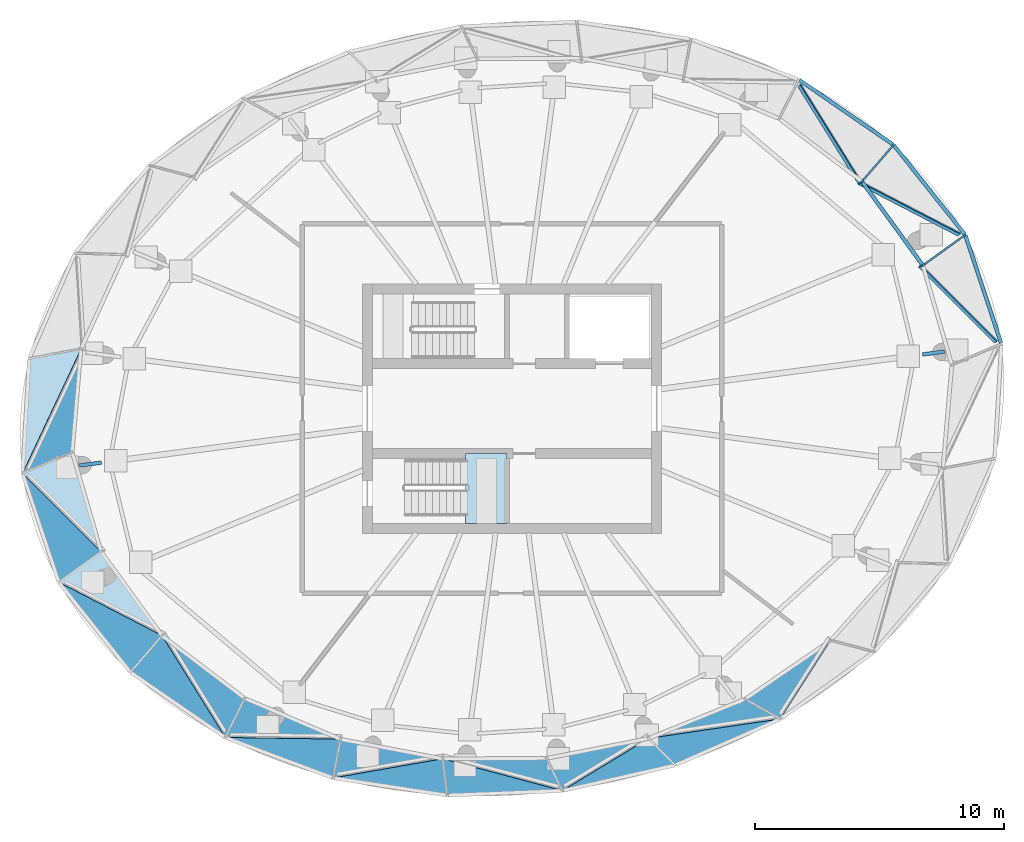
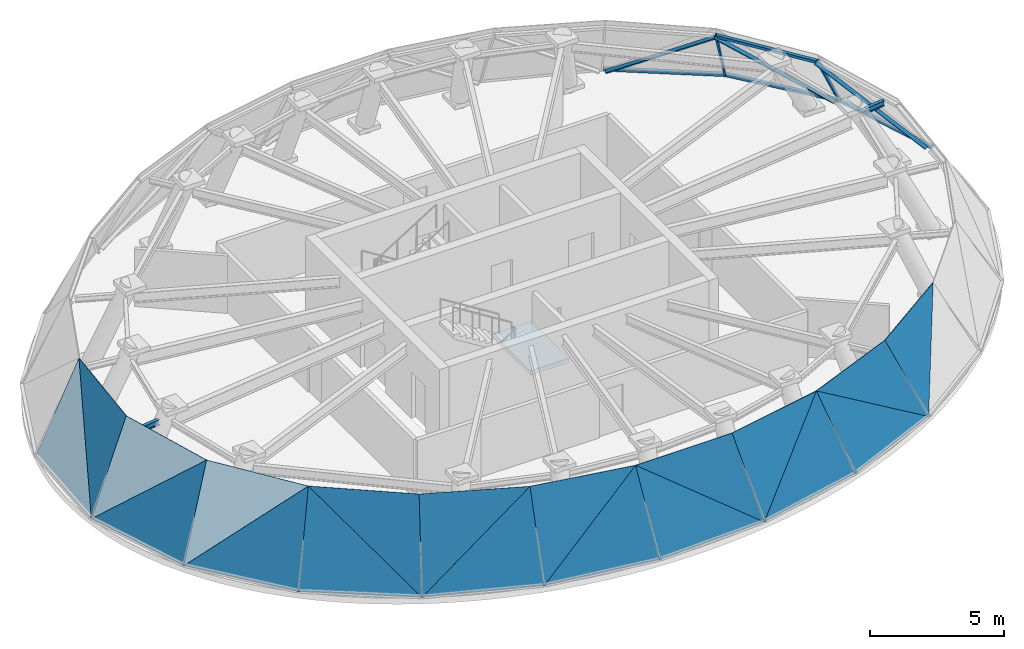
# One storey, part 5 of 9: 19 plates, 9 members, 2 beams, 1 slab, 25 elements without a shape of their own.
"""IFC4 building model written with IfcOpenShell, lengths in metres."""

import ifcopenshell
import ifcopenshell.guid

model = None  # the IFC model being written
_history = None  # IfcOwnerHistory: only IFC2X3 demands one
_inside = {}  # id of a spatial element -> (the spatial element, [elements in it])
_under = {}  # id of a project, library or spatial element -> (it, [spatial elements below it])
_declared = {}  # id of a project -> (the project, [libraries it declares])
_typed = {}  # id of a type object -> (the type object, [elements of that type])
_made_of = {}  # id of a material, layer set ... -> (it, [elements and type objects made of it])


def new_model(schema):
    """Start an empty IFC model of exactly this schema.

    Asked for "IFC4X3", IfcOpenShell would pick the latest addendum, in which some entities
    have other attributes; the version numbers below select the first issue.
    IFC2X3 requires an IfcOwnerHistory on every rooted entity: one is made here for all.
    """
    global model, _history
    if schema == "IFC4X3":
        model = ifcopenshell.file(schema_version=(4, 3, 0, 0))
    else:
        model = ifcopenshell.file(schema=schema)
    _inside.clear()
    _under.clear()
    _declared.clear()
    _typed.clear()
    _made_of.clear()
    _history = None
    if model.schema == "IFC2X3":
        org = make("IfcOrganization", Name="unknown")
        user = make(
            "IfcPersonAndOrganization",
            ThePerson=make("IfcPerson", FamilyName="unknown"),
            TheOrganization=org,
        )
        app = make(
            "IfcApplication",
            ApplicationDeveloper=org,
            Version="unknown",
            ApplicationFullName="unknown",
            ApplicationIdentifier="unknown",
        )
        _history = make(
            "IfcOwnerHistory",
            OwningUser=user,
            OwningApplication=app,
            ChangeAction="ADDED",
            CreationDate=0,
        )
    return model


def make(cls, **values):
    """One entity of the class cls with the attributes given. An attribute that is None is left unset."""
    return model.create_entity(
        cls, **{name: value for name, value in values.items() if value is not None}
    )


def rooted(cls, **values):
    """An entity with a GlobalId (a new one), such as an element, a storey or a relation."""
    return make(cls, GlobalId=ifcopenshell.guid.new(), OwnerHistory=_history, **values)


def si_unit(unit_type, name, prefix=None):
    """IfcSIUnit, for example si_unit("LENGTHUNIT", "METRE", prefix="MILLI")."""
    return make("IfcSIUnit", UnitType=unit_type, Prefix=prefix, Name=name)


def assignment(units):
    """IfcUnitAssignment: the units of a project."""
    return None if units is None else make("IfcUnitAssignment", Units=units)


def point(xyz):
    """IfcCartesianPoint."""
    return None if xyz is None else make("IfcCartesianPoint", Coordinates=xyz)


def direction(xyz):
    """IfcDirection."""
    return None if xyz is None else make("IfcDirection", DirectionRatios=xyz)


def frame(location, z_axis=None, x_axis=None):
    """IfcAxis2Placement3D, a coordinate frame: its origin and axes. An axis left out is left unset."""
    return make(
        "IfcAxis2Placement3D",
        Location=point(location),
        Axis=direction(z_axis),
        RefDirection=direction(x_axis),
    )


def frame_2d(location, x_axis=None):
    """IfcAxis2Placement2D, a coordinate frame in the plane: its origin and x axis."""
    return make(
        "IfcAxis2Placement2D", Location=point(location), RefDirection=direction(x_axis)
    )


def origin():
    """The frame at (0, 0, 0) with its axes left unset."""
    return frame((0.0, 0.0, 0.0))


def origin_2d():
    """The frame at (0, 0) in the plane with its x axis left unset."""
    return frame_2d((0.0, 0.0))


def place(relative_to, where):
    """IfcLocalPlacement: puts the frame where relative to a parent placement (None: the world)."""
    return make(
        "IfcLocalPlacement", PlacementRelTo=relative_to, RelativePlacement=where
    )


def context(
    kind, dimensions, precision=None, world=None, true_north=None, identifier=None
):
    """IfcGeometricRepresentationContext, for example the 3D "Model" context."""
    return make(
        "IfcGeometricRepresentationContext",
        ContextIdentifier=identifier,
        ContextType=kind,
        CoordinateSpaceDimension=dimensions,
        Precision=precision,
        WorldCoordinateSystem=world,
        TrueNorth=true_north,
    )


def subcontext(parent, identifier, kind, view, scale=None):
    """IfcGeometricRepresentationSubContext, for example "Body" below "Model"."""
    return make(
        "IfcGeometricRepresentationSubContext",
        ContextIdentifier=identifier,
        ContextType=kind,
        ParentContext=parent,
        TargetScale=scale,
        TargetView=view,
    )


def project(units=None, contexts=None):
    """IfcProject with its units and contexts."""
    return rooted(
        "IfcProject",
        Name="project",
        RepresentationContexts=contexts,
        UnitsInContext=assignment(units),
    )


def spatial(cls, under=None, at=None, **own):
    """A site, building, storey or space (cls), placed at a placement, below another one or the project."""
    s = rooted(cls, ObjectPlacement=at, **own)
    if under is not None:
        _under.setdefault(under.id(), (under, []))[1].append(s)
    return s


def point_list(points):
    """IfcCartesianPointList2D or 3D."""
    cls = (
        "IfcCartesianPointList2D" if len(points[0]) == 2 else "IfcCartesianPointList3D"
    )
    return make(cls, CoordList=points)


def line(*indices):
    """IfcLineIndex: a straight run through numbered points of an indexed curve."""
    return model.create_entity("IfcLineIndex", indices)


def indexed_curve(points, segments=None, self_intersect=None):
    """IfcIndexedPolyCurve: lines and arcs through numbered points (the first is 1)."""
    return make(
        "IfcIndexedPolyCurve",
        Points=point_list(points),
        Segments=segments,
        SelfIntersect=self_intersect,
    )


def profile(cls, at=None, kind="AREA", **sizes):
    """A parametric profile (cls). Its sizes go by their IFC names, for example OverallWidth=200.0."""
    return make(cls, ProfileType=kind, Position=at, **sizes)


def rectangle(**sizes):
    """IfcRectangleProfileDef."""
    return profile("IfcRectangleProfileDef", **sizes)


def i_section(**sizes):
    """IfcIShapeProfileDef."""
    return profile("IfcIShapeProfileDef", **sizes)


def outline(outer, holes=None, kind="AREA"):
    """IfcArbitraryClosedProfileDef: a profile drawn as a closed curve; with holes, ...WithVoids."""
    if holes is None:
        return make("IfcArbitraryClosedProfileDef", ProfileType=kind, OuterCurve=outer)
    return make(
        "IfcArbitraryProfileDefWithVoids",
        ProfileType=kind,
        OuterCurve=outer,
        InnerCurves=holes,
    )


def extrude(swept, where, along, depth):
    """IfcExtrudedAreaSolid: the profile swept, set in the frame where, extruded along a direction by depth."""
    return make(
        "IfcExtrudedAreaSolid",
        SweptArea=swept,
        Position=where,
        ExtrudedDirection=direction(along),
        Depth=depth,
    )


def shape(context_of_items, identifier, shape_type, items):
    """IfcShapeRepresentation: the items that make up one representation, for example the "Body"."""
    return make(
        "IfcShapeRepresentation",
        ContextOfItems=context_of_items,
        RepresentationIdentifier=identifier,
        RepresentationType=shape_type,
        Items=items,
    )


def source(mapping_origin, context_of_items, identifier, shape_type, items):
    """IfcRepresentationMap: a shape defined once, which mapped items show again and again."""
    return make(
        "IfcRepresentationMap",
        MappingOrigin=mapping_origin,
        MappedRepresentation=shape(context_of_items, identifier, shape_type, items),
    )


def transform(
    local_origin,
    x_axis=None,
    y_axis=None,
    z_axis=None,
    scale=None,
    scale2=None,
    scale3=None,
    uniform=True,
):
    """IfcCartesianTransformationOperator3D, or its non-uniform kind. x_axis, y_axis, z_axis: its Axis1, 2, 3."""
    if uniform:
        return make(
            "IfcCartesianTransformationOperator3D",
            Axis1=direction(x_axis),
            Axis2=direction(y_axis),
            LocalOrigin=point(local_origin),
            Scale=scale,
            Axis3=direction(z_axis),
        )
    return make(
        "IfcCartesianTransformationOperator3DnonUniform",
        Axis1=direction(x_axis),
        Axis2=direction(y_axis),
        LocalOrigin=point(local_origin),
        Scale=scale,
        Axis3=direction(z_axis),
        Scale2=scale2,
        Scale3=scale3,
    )


def mapped(mapping_source, mapping_target):
    """IfcMappedItem: shows the shape of a source again, moved by a transform."""
    return make(
        "IfcMappedItem", MappingSource=mapping_source, MappingTarget=mapping_target
    )


def material(Name=None, Category=None):
    """IfcMaterial."""
    return make("IfcMaterial", Name=Name, Category=Category)


def layer(
    of_material, thickness, ventilated=None, Name=None, Category=None, Priority=None
):
    """IfcMaterialLayer: one layer of a wall or slab, of a material (None: an air gap)."""
    return make(
        "IfcMaterialLayer",
        Material=of_material,
        LayerThickness=thickness,
        IsVentilated=ventilated,
        Name=Name,
        Category=Category,
        Priority=Priority,
    )


def layer_set(layers, Name=None):
    """IfcMaterialLayerSet."""
    return make("IfcMaterialLayerSet", MaterialLayers=layers, LayerSetName=Name)


def material_profile(
    of_material, cross_section, Name=None, Category=None, Priority=None
):
    """IfcMaterialProfile: a cross section and its material."""
    return make(
        "IfcMaterialProfile",
        Name=Name,
        Material=of_material,
        Profile=cross_section,
        Priority=Priority,
        Category=Category,
    )


def profile_set(profiles, Name=None, composite=None):
    """IfcMaterialProfileSet."""
    return make(
        "IfcMaterialProfileSet",
        Name=Name,
        MaterialProfiles=profiles,
        CompositeProfile=composite,
    )


def made_of(thing, what):
    """Note that an element or type object is made of a material, layer set ...; save() writes the relation."""
    if what is not None:
        _made_of.setdefault(what.id(), (what, []))[1].append(thing)
    return thing


def type_object(cls, material=None, **own):
    """A type object (cls), such as IfcWallType, which elements share."""
    return made_of(rooted(cls, **own), material)


def element(
    cls,
    number,
    at=None,
    inside=None,
    cuts=None,
    type_object=None,
    material=None,
    context=None,
    identifier="Body",
    shape_type=None,
    held_by="IfcProductDefinitionShape",
    body=None,
    shapes=None,
    **own,
):
    """One element of the class cls, such as IfcWall. Its Tag is "e" and its number.

    at: its placement. inside: the storey or other place that contains it. cuts: it is an
    opening in that element (IfcRelVoidsElement). A single representation is given by context,
    identifier, shape_type and body (its items); several are given by shapes. held_by: the class
    of the entity that holds the representations. save() writes the other relations.
    """
    e = rooted(cls, Tag="e%d" % number, ObjectPlacement=at, **own)
    if body is not None:
        shapes = [shape(context, identifier, shape_type, body)]
    if shapes is not None:
        e.Representation = make(held_by, Representations=shapes)
    if inside is not None:
        _inside.setdefault(inside.id(), (inside, []))[1].append(e)
    if cuts is not None:
        rooted(
            "IfcRelVoidsElement", RelatingBuildingElement=cuts, RelatedOpeningElement=e
        )
    if type_object is not None:
        _typed.setdefault(type_object.id(), (type_object, []))[1].append(e)
    return made_of(e, material)


def aggregate(whole, parts):
    """IfcRelAggregates: a whole, such as a stair, and the parts it consists of."""
    return rooted("IfcRelAggregates", RelatingObject=whole, RelatedObjects=parts)


def save(model, path):
    """Write the relations noted so far, then the file.

    IfcRelAggregates (storeys below a building ...), IfcRelContainedInSpatialStructure (elements
    in a storey), IfcRelDefinesByType, IfcRelAssociatesMaterial and IfcRelDeclares: one each for
    every whole, place, type object, material and project.
    """
    for whole, parts in _under.values():
        aggregate(whole, parts)
    for where, things in _inside.values():
        rooted(
            "IfcRelContainedInSpatialStructure",
            RelatedElements=things,
            RelatingStructure=where,
        )
    for kind, things in _typed.values():
        rooted("IfcRelDefinesByType", RelatedObjects=things, RelatingType=kind)
    for what, things in _made_of.values():
        rooted("IfcRelAssociatesMaterial", RelatedObjects=things, RelatingMaterial=what)
    for by, libraries in _declared.values():
        rooted("IfcRelDeclares", RelatingContext=by, RelatedDefinitions=libraries)
    model.write(path)


model = new_model("IFC4")

# Units and contexts
model_context = context("Model", 3, precision=1e-05, world=origin(), true_north=direction((0.0, 1.0)))
body_context = subcontext(model_context, "Body", "Model", "MODEL_VIEW")
ifc_project = project(units=[si_unit("LENGTHUNIT", "METRE"), si_unit("AREAUNIT", "SQUARE_METRE"), si_unit("VOLUMEUNIT", "CUBIC_METRE"), si_unit("PLANEANGLEUNIT", "RADIAN"), si_unit("MASSUNIT", "GRAM", prefix="KILO")], contexts=[model_context])

# Site, building, storey
site_placement = place(None, origin())
site = spatial("IfcSite", under=ifc_project, at=site_placement, CompositionType="ELEMENT")
building_placement = place(site_placement, origin())
building = spatial("IfcBuilding", under=site, at=building_placement, Name="Spindrift Exchange Tower", CompositionType="ELEMENT")
storey_placement = place(building_placement, frame((0.0, 0.0, 273.10009765625)))
storey = spatial("IfcBuildingStorey", under=building, at=storey_placement, Name="L67", CompositionType="ELEMENT", Elevation=273.10009765625)

# Beams
ifc_material_1 = material(Name="Steel Grade 300", Category="steel")
ifc_material_profile_1 = material_profile(ifc_material_1, i_section(OverallWidth=0.14599609375, OverallDepth=0.251953125, WebThickness=0.006103515625, FlangeThickness=0.008544921875, FilletRadius=0.011962890625, at=origin_2d()), Name="250UB31.4")
ifc_profile_set_1 = profile_set([ifc_material_profile_1], Name="Steel Grade 300")
beam_type = type_object("IfcBeamType", Name="Cantilever Beam 250UB31.4 Steel Grade 300", PredefinedType="BEAM", material=ifc_profile_set_1)
shared_shape_1 = source(origin(), body_context, "Body", "SweptSolid", [
    extrude(i_section(OverallWidth=0.14599609375, OverallDepth=0.251953125, WebThickness=0.006103515625, FlangeThickness=0.008544921875, FilletRadius=0.011962890625, at=origin_2d()), origin(), (0.0, 0.0, 1.0), 0.87939453125),
])
for number, where, z_axis, x_axis, name in (
    (1, (68.458984375, 50.1669921875, 3.093994140625), (0.991485453139, 0.130217495806, 0.0), (-0.130217495806, 0.991485453139, 0.0), "L67 cantilever beam R01T"),
    (2, (35.541015625, 45.8330078125, 3.093994140625), (-0.991485453139, -0.130217495806, 0.0), (0.130217495806, -0.991485453139, 0.0), "L67 cantilever beam R13T"),
):
    element("IfcBeam", number, at=place(storey_placement, frame(where, z_axis=z_axis, x_axis=x_axis)), inside=storey, type_object=beam_type, Name=name, PredefinedType="BEAM", context=body_context, shape_type="MappedRepresentation", body=[
        mapped(shared_shape_1, transform((0.0, 0.0, 0.0), scale=1.0)),
    ])

# Curtain wall, member
ifc_material_2 = material(Name="Fritted laminated glass with bronze frame", Category="glass")
ifc_layer_1 = layer(ifc_material_2, 0.14990234375)
ifc_layer_set_1 = layer_set([ifc_layer_1], Name="CROWN BRONZE RAKED GLAZED WALL")
curtain_wall_type = type_object("IfcCurtainWallType", Name="CROWN BRONZE RAKED GLAZED WALL", PredefinedType="NOTDEFINED", material=ifc_layer_set_1)
curtain_wall_1_placement = place(storey_placement, origin())
curtain_wall_1 = element("IfcCurtainWall", 3, at=curtain_wall_1_placement, inside=storey, type_object=curtain_wall_type, Name="L67 Crown Bronze Raked Glazed Wall facet 1", PredefinedType="NOTDEFINED")
ifc_material_3 = material(Name="Bronze anodised aluminium", Category="aluminium")
ifc_material_profile_2 = material_profile(ifc_material_3, rectangle(XDim=0.14990234375, YDim=0.1201171875, at=origin_2d()), Name="CROWN BRONZE RAKED GLAZED WALL TRANSOM 150X120")
ifc_profile_set_2 = profile_set([ifc_material_profile_2], Name="Bronze anodised aluminium")
member_type_1 = type_object("IfcMemberType", Name="CROWN BRONZE RAKED GLAZED WALL TRANSOM 150X120", PredefinedType="USERDEFINED", material=ifc_profile_set_2)
shared_shape_2 = source(origin(), body_context, "Body", "SweptSolid", [
    extrude(rectangle(XDim=0.14990234375, YDim=0.1201171875, at=origin_2d()), origin(), (0.0, 0.0, 1.0), 4.533203125),
])
member_1_placement = place(storey_placement, frame((71.606201171875, 50.624267578125, 0.059814453125), z_axis=(-0.315112723988, 0.949054250916, 0.0), x_axis=(-0.949054250916, -0.315112723988, 0.0)))
member_1 = element("IfcMember", 4, at=member_1_placement, type_object=member_type_1, Name="L67 transom CW-R.1a", ObjectType="TRANSOM", PredefinedType="USERDEFINED", context=body_context, shape_type="MappedRepresentation", body=[
    mapped(shared_shape_2, transform((0.0, 0.0, 0.0), scale=1.0)),
])

curtain_wall_2_placement = place(storey_placement, origin())
curtain_wall_2 = element("IfcCurtainWall", 5, at=curtain_wall_2_placement, inside=storey, type_object=curtain_wall_type, Name="L67 Crown Bronze Raked Glazed Wall facet 3", PredefinedType="NOTDEFINED")
shared_shape_3 = source(origin(), body_context, "Body", "SweptSolid", [
    extrude(rectangle(XDim=0.14990234375, YDim=0.1201171875, at=origin_2d()), origin(), (0.0, 0.0, 1.0), 4.5400390625),
])
member_2_placement = place(storey_placement, frame((70.14501953125, 54.9873046875, 0.059814453125), z_axis=(-0.62281769166, 0.78236700017, 0.0), x_axis=(-0.78236700017, -0.62281769166, 0.0)))
member_2 = element("IfcMember", 6, at=member_2_placement, type_object=member_type_1, Name="L67 transom CW-R.2a", ObjectType="TRANSOM", PredefinedType="USERDEFINED", context=body_context, shape_type="MappedRepresentation", body=[
    mapped(shared_shape_3, transform((0.0, 0.0, 0.0), scale=1.0)),
])

curtain_wall_3_placement = place(storey_placement, origin())
curtain_wall_3 = element("IfcCurtainWall", 7, at=curtain_wall_3_placement, inside=storey, type_object=curtain_wall_type, Name="L67 Crown Bronze Raked Glazed Wall facet 5", PredefinedType="NOTDEFINED")
shared_shape_4 = source(origin(), body_context, "Body", "SweptSolid", [
    extrude(rectangle(XDim=0.14990234375, YDim=0.1201171875, at=origin_2d()), origin(), (0.0, 0.0, 1.0), 4.546630859375),
])
member_3_placement = place(storey_placement, frame((63.522216796875, 61.1650390625, 0.059814453125), z_axis=(0.82361239241, -0.567153089623, 0.0), x_axis=(0.567153089623, 0.82361239241, 0.0)))
member_3 = element("IfcMember", 8, at=member_3_placement, type_object=member_type_1, Name="L67 transom CW-R.3a", ObjectType="TRANSOM", PredefinedType="USERDEFINED", context=body_context, shape_type="MappedRepresentation", body=[
    mapped(shared_shape_4, transform((0.0, 0.0, 0.0), scale=1.0)),
])

# Member
ifc_material_profile_3 = material_profile(ifc_material_3, rectangle(XDim=0.070068359375, YDim=0.14990234375, at=origin_2d()), Name="CROWN BRONZE RAKED GLAZED WALL MULLION 70X150")
ifc_profile_set_3 = profile_set([ifc_material_profile_3], Name="Bronze anodised aluminium")
member_type_2 = type_object("IfcMemberType", Name="CROWN BRONZE RAKED GLAZED WALL MULLION 70X150", PredefinedType="MULLION", material=ifc_profile_set_3)
shared_shape_5 = source(origin(), body_context, "Body", "SweptSolid", [
    extrude(rectangle(XDim=0.070068359375, YDim=0.14990234375, at=origin_2d()), origin(), (0.0, 0.0, 1.0), 5.285400390625),
])
member_4_placement = place(storey_placement, frame((71.390380859375, 50.680908203125, 0.060791015625), z_axis=(-0.57305094382, 0.572681412339, 0.586215502822), x_axis=(-0.141510487084, -0.773718484908, 0.617522864481)))
member_4 = element("IfcMember", 9, at=member_4_placement, type_object=member_type_2, Name="L67 glazing bar CW-R.1", PredefinedType="MULLION", context=body_context, shape_type="MappedRepresentation", body=[
    mapped(shared_shape_5, transform((0.0, 0.0, 0.0), scale=1.0)),
])

aggregate(curtain_wall_1, [member_1, member_4])

# Curtain wall, members
curtain_wall_4_placement = place(storey_placement, origin())
curtain_wall_4 = element("IfcCurtainWall", 10, at=curtain_wall_4_placement, inside=storey, type_object=curtain_wall_type, Name="L67 Crown Bronze Raked Glazed Wall facet 4", PredefinedType="NOTDEFINED")
shared_shape_6 = source(origin(), body_context, "Body", "SweptSolid", [
    extrude(rectangle(XDim=0.14990234375, YDim=0.1201171875, at=origin_2d()), origin(), (0.0, 0.0, 1.0), 4.0888671875),
])
member_5_placement = place(storey_placement, frame((68.44921875, 53.764892578125, 3.159912109375), z_axis=(-0.587305084769, 0.809365638883, 0.0), x_axis=(-0.809365638883, -0.587305084769, 0.0)))
member_5 = element("IfcMember", 11, at=member_5_placement, type_object=member_type_1, Name="L67 transom CW-R.2b", ObjectType="TRANSOM", PredefinedType="USERDEFINED", context=body_context, shape_type="MappedRepresentation", body=[
    mapped(shared_shape_6, transform((0.0, 0.0, 0.0), scale=1.0)),
])
shared_shape_7 = source(origin(), body_context, "Body", "SweptSolid", [
    extrude(rectangle(XDim=0.070068359375, YDim=0.14990234375, at=origin_2d()), origin(), (0.0, 0.0, 1.0), 3.742431640625),
])
member_6_placement = place(storey_placement, frame((70.145263671875, 54.9443359375, 0.040771484375), z_axis=(-0.441971644263, -0.318610997871, 0.838539264259), x_axis=(0.58477775628, -0.811193550122, 0.0)))
member_6 = element("IfcMember", 12, at=member_6_placement, type_object=member_type_2, Name="L67 mullion CW-R.2", PredefinedType="MULLION", context=body_context, shape_type="MappedRepresentation", body=[
    mapped(shared_shape_7, transform((0.0, 0.0, 0.0), scale=1.0)),
])
aggregate(curtain_wall_4, [member_5, member_6])

# Member
shared_shape_8 = source(origin(), body_context, "Body", "SweptSolid", [
    extrude(rectangle(XDim=0.070068359375, YDim=0.14990234375, at=origin_2d()), origin(), (0.0, 0.0, 1.0), 5.447998046875),
])
member_7_placement = place(storey_placement, frame((69.918701171875, 54.97607421875, 0.0615234375), z_axis=(-0.730666176199, 0.378216652997, 0.568400477088), x_axis=(0.111432011429, -0.755306854642, 0.64582850832)))
member_7 = element("IfcMember", 13, at=member_7_placement, type_object=member_type_2, Name="L67 glazing bar CW-R.2", PredefinedType="MULLION", context=body_context, shape_type="MappedRepresentation", body=[
    mapped(shared_shape_8, transform((0.0, 0.0, 0.0), scale=1.0)),
])

aggregate(curtain_wall_2, [member_2, member_7])

shared_shape_9 = source(origin(), body_context, "Body", "SweptSolid", [
    extrude(rectangle(XDim=0.070068359375, YDim=0.14990234375, at=origin_2d()), origin(), (0.0, 0.0, 1.0), 3.66748046875),
])
member_8_placement = place(storey_placement, frame((67.280517578125, 58.549072265625, 0.03857421875), z_axis=(-0.33757115033, -0.389628069983, 0.856875536788), x_axis=(0.75579132792, -0.654812544658, 0.0)))
member_8 = element("IfcMember", 14, at=member_8_placement, type_object=member_type_2, Name="L67 mullion CW-R.3", PredefinedType="MULLION", context=body_context, shape_type="MappedRepresentation", body=[
    mapped(shared_shape_9, transform((0.0, 0.0, 0.0), scale=1.0)),
])

aggregate(curtain_wall_3, [member_3, member_8])

# Curtain wall, member
curtain_wall_5_placement = place(storey_placement, origin())
curtain_wall_5 = element("IfcCurtainWall", 15, at=curtain_wall_5_placement, inside=storey, type_object=curtain_wall_type, Name="L67 Crown Bronze Raked Glazed Wall facet 6", PredefinedType="NOTDEFINED")
shared_shape_10 = source(origin(), body_context, "Body", "SweptSolid", [
    extrude(rectangle(XDim=0.070068359375, YDim=0.14990234375, at=origin_2d()), origin(), (0.0, 0.0, 1.0), 5.56005859375),
])
member_9_placement = place(storey_placement, frame((63.522705078125, 60.9404296875, 0.062255859375), z_axis=(0.438080548071, -0.705793999167, 0.556722789314), x_axis=(0.72620021576, -0.087157406589, -0.681936091659)))
member_9 = element("IfcMember", 16, at=member_9_placement, type_object=member_type_2, Name="L67 glazing bar CW-R.3", PredefinedType="MULLION", context=body_context, shape_type="MappedRepresentation", body=[
    mapped(shared_shape_10, transform((0.0, 0.0, 0.0), scale=1.0)),
])
aggregate(curtain_wall_5, [member_9])

# Curtain wall, plate
curtain_wall_6_placement = place(storey_placement, origin())
curtain_wall_6 = element("IfcCurtainWall", 17, at=curtain_wall_6_placement, inside=storey, type_object=curtain_wall_type, Name="L67 Crown Bronze Raked Glazed Wall facet 27", PredefinedType="NOTDEFINED")
ifc_material_4 = material(Name="Bronze fritted laminated glass, close frit", Category="glass")
ifc_layer_2 = layer(ifc_material_4, 0.030029296875)
ifc_layer_set_2 = layer_set([ifc_layer_2], Name="CROWN BRONZE RAKED GLAZED WALL PANEL CLOSE FRIT 300")
plate_type_1 = type_object("IfcPlateType", Name="CROWN BRONZE RAKED GLAZED WALL PANEL CLOSE FRIT 300", PredefinedType="CURTAIN_PANEL", material=ifc_layer_set_2)
plate_1_placement = place(storey_placement, frame((33.833251953125, 41.040283203125, 0.01416015625), z_axis=(-0.686631866828, -0.546554132524, 0.479390508539), x_axis=(0.622781534918, -0.782395782047, 0.0)))
plate_1 = element("IfcPlate", 18, at=plate_1_placement, type_object=plate_type_1, Name="L67 panel CW-R.14a", PredefinedType="CURTAIN_PANEL", context=body_context, shape_type="SweptSolid", body=[
    extrude(outline(indexed_curve([(0.0, 0.0), (4.6103515625, 0.0), (4.2548828125, 3.9716796875)], segments=[line(1, 2, 3, 1)], self_intersect=False)), origin(), (0.0, 0.0, -1.0), 0.030029296875),
])
aggregate(curtain_wall_6, [plate_1])

curtain_wall_7_placement = place(storey_placement, origin())
curtain_wall_7 = element("IfcCurtainWall", 19, at=curtain_wall_7_placement, inside=storey, type_object=curtain_wall_type, Name="L67 Crown Bronze Raked Glazed Wall facet 28", PredefinedType="NOTDEFINED")
plate_2_placement = place(storey_placement, frame((33.833251953125, 41.040283203125, 0.015380859375), z_axis=(-0.693937097386, -0.503528448702, 0.514694478521), x_axis=(0.711274329892, -0.36820140333, 0.598762519053)))
plate_2 = element("IfcPlate", 20, at=plate_2_placement, type_object=plate_type_1, Name="L67 panel CW-R.14b", PredefinedType="CURTAIN_PANEL", context=body_context, shape_type="SweptSolid", body=[
    extrude(outline(indexed_curve([(0.0, 0.0), (5.8193359375, 0.0), (2.8427734375, 2.904296875)], segments=[line(1, 2, 3, 1)], self_intersect=False)), origin(), (0.0, 0.0, -1.0), 0.030029296875),
])
aggregate(curtain_wall_7, [plate_2])

curtain_wall_8_placement = place(storey_placement, origin())
curtain_wall_8 = element("IfcCurtainWall", 21, at=curtain_wall_8_placement, inside=storey, type_object=curtain_wall_type, Name="L67 Crown Bronze Raked Glazed Wall facet 33", PredefinedType="NOTDEFINED")
plate_3_placement = place(storey_placement, frame((44.83251953125, 33.19091796875, 0.01123046875), z_axis=(-0.138753199477, -0.915937463825, 0.376571523082), x_axis=(0.988719533614, -0.149778783042, 0.0)))
plate_3 = element("IfcPlate", 22, at=plate_3_placement, type_object=plate_type_1, Name="L67 panel CW-R.17a", PredefinedType="CURTAIN_PANEL", context=body_context, shape_type="SweptSolid", body=[
    extrude(outline(indexed_curve([(0.0, 0.0), (4.623046875, 0.0), (4.22265625, 3.765625)], segments=[line(1, 2, 3, 1)], self_intersect=False)), origin(), (0.0, 0.0, -1.0), 0.030029296875),
])
aggregate(curtain_wall_8, [plate_3])

curtain_wall_9_placement = place(storey_placement, origin())
curtain_wall_9 = element("IfcCurtainWall", 23, at=curtain_wall_9_placement, inside=storey, type_object=curtain_wall_type, Name="L67 Crown Bronze Raked Glazed Wall facet 34", PredefinedType="NOTDEFINED")
plate_4_placement = place(storey_placement, frame((44.83251953125, 33.19091796875, 0.01220703125), z_axis=(-0.171732375832, -0.894223970024, 0.413366039396), x_axis=(0.775480119442, 0.13607261487, 0.616534530933)))
plate_4 = element("IfcPlate", 24, at=plate_4_placement, type_object=plate_type_1, Name="L67 panel CW-R.17b", PredefinedType="CURTAIN_PANEL", context=body_context, shape_type="SweptSolid", body=[
    extrude(outline(indexed_curve([(0.0, 0.0), (5.6572265625, 0.0), (2.5888671875, 2.8232421875)], segments=[line(1, 2, 3, 1)], self_intersect=False)), origin(), (0.0, 0.0, -1.0), 0.030029296875),
])
aggregate(curtain_wall_9, [plate_4])

curtain_wall_10_placement = place(storey_placement, origin())
curtain_wall_10 = element("IfcCurtainWall", 25, at=curtain_wall_10_placement, inside=storey, type_object=curtain_wall_type, Name="L67 Crown Bronze Raked Glazed Wall facet 23", PredefinedType="NOTDEFINED")
ifc_layer_3 = layer(ifc_material_4, 0.030029296875)
ifc_layer_set_3 = layer_set([ifc_layer_3], Name="CROWN BRONZE RAKED GLAZED WALL PANEL CLOSE FRIT 420")
plate_type_2 = type_object("IfcPlateType", Name="CROWN BRONZE RAKED GLAZED WALL PANEL CLOSE FRIT 420", PredefinedType="CURTAIN_PANEL", material=ifc_layer_set_3)
plate_5_placement = place(storey_placement, frame((32.3828125, 45.408935546875, 0.01513671875), z_axis=(-0.860548093675, 0.049921298252, 0.506916997597), x_axis=(0.057913683636, 0.998321594101, 0.0)))
plate_5 = element("IfcPlate", 26, at=plate_5_placement, type_object=plate_type_2, Name="L67 panel CW-R.12a", PredefinedType="CURTAIN_PANEL", context=body_context, shape_type="SweptSolid", body=[
    extrude(outline(indexed_curve([(0.0, 0.0), (4.603515625, 0.0), (5.109375, -4.04296875)], segments=[line(1, 2, 3, 1)], self_intersect=False)), origin(), (0.0, 0.0, -1.0), 0.030029296875),
])
aggregate(curtain_wall_10, [plate_5])

curtain_wall_11_placement = place(storey_placement, origin())
curtain_wall_11 = element("IfcCurtainWall", 27, at=curtain_wall_11_placement, inside=storey, type_object=curtain_wall_type, Name="L67 Crown Bronze Raked Glazed Wall facet 24", PredefinedType="NOTDEFINED")
plate_6_placement = place(storey_placement, frame((32.3828125, 45.408935546875, 0.014404296875), z_axis=(-0.87391189005, 0.074750604092, 0.480302358538), x_axis=(0.35942410855, 0.76460059789, 0.53497685548)))
plate_6 = element("IfcPlate", 28, at=plate_6_placement, type_object=plate_type_2, Name="L67 panel CW-R.12b", PredefinedType="CURTAIN_PANEL", context=body_context, shape_type="SweptSolid", body=[
    extrude(outline(indexed_curve([(0.0, 0.0), (6.515625, 0.0), (3.2236328125, -2.533203125)], segments=[line(1, 2, 3, 1)], self_intersect=False)), origin(), (0.0, 0.0, -1.0), 0.030029296875),
])
aggregate(curtain_wall_11, [plate_6])

curtain_wall_12_placement = place(storey_placement, origin())
curtain_wall_12 = element("IfcCurtainWall", 29, at=curtain_wall_12_placement, inside=storey, type_object=curtain_wall_type, Name="L67 Crown Bronze Raked Glazed Wall facet 31", PredefinedType="NOTDEFINED")
plate_7_placement = place(storey_placement, frame((40.506591796875, 34.815185546875, 0.01220703125), z_axis=(-0.320892026438, -0.85463487396, 0.408200366952), x_axis=(0.936183619972, -0.351511350735, 0.0)))
plate_7 = element("IfcPlate", 30, at=plate_7_placement, type_object=plate_type_2, Name="L67 panel CW-R.16a", PredefinedType="CURTAIN_PANEL", context=body_context, shape_type="SweptSolid", body=[
    extrude(outline(indexed_curve([(0.0, 0.0), (4.62109375, 0.0), (4.34765625, 3.8203125)], segments=[line(1, 2, 3, 1)], self_intersect=False)), origin(), (0.0, 0.0, -1.0), 0.030029296875),
])
aggregate(curtain_wall_12, [plate_7])

curtain_wall_13_placement = place(storey_placement, origin())
curtain_wall_13 = element("IfcCurtainWall", 31, at=curtain_wall_13_placement, inside=storey, type_object=curtain_wall_type, Name="L67 Crown Bronze Raked Glazed Wall facet 32", PredefinedType="NOTDEFINED")
plate_8_placement = place(storey_placement, frame((40.506591796875, 34.815185546875, 0.01318359375), z_axis=(-0.350396313984, -0.822496563657, 0.448019894557), x_axis=(0.798016724851, -0.01177028263, 0.602520345968)))
plate_8 = element("IfcPlate", 32, at=plate_8_placement, type_object=plate_type_2, Name="L67 panel CW-R.16b", PredefinedType="CURTAIN_PANEL", context=body_context, shape_type="SweptSolid", body=[
    extrude(outline(indexed_curve([(0.0, 0.0), (5.787109375, 0.0), (2.7080078125, 2.80859375)], segments=[line(1, 2, 3, 1)], self_intersect=False)), origin(), (0.0, 0.0, -1.0), 0.030029296875),
])
aggregate(curtain_wall_13, [plate_8])

curtain_wall_14_placement = place(storey_placement, origin())
curtain_wall_14 = element("IfcCurtainWall", 33, at=curtain_wall_14_placement, inside=storey, type_object=curtain_wall_type, Name="L67 Crown Bronze Raked Glazed Wall facet 35", PredefinedType="NOTDEFINED")
plate_9_placement = place(storey_placement, frame((54.023193359375, 32.680908203125, 0.011474609375), z_axis=(0.036354235479, -0.920973965458, 0.387924379887), x_axis=(-0.999221823409, -0.039442966714, 0.0)))
plate_9 = element("IfcPlate", 34, at=plate_9_placement, type_object=plate_type_2, Name="L67 panel CW-R.18a", PredefinedType="CURTAIN_PANEL", context=body_context, shape_type="SweptSolid", body=[
    extrude(outline(indexed_curve([(0.0, 0.0), (4.6240234375, 0.0), (4.7490234375, -3.78515625)], segments=[line(1, 2, 3, 1)], self_intersect=False)), origin(), (0.0, 0.0, -1.0), 0.030029296875),
])
aggregate(curtain_wall_14, [plate_9])

curtain_wall_15_placement = place(storey_placement, origin())
curtain_wall_15 = element("IfcCurtainWall", 35, at=curtain_wall_15_placement, inside=storey, type_object=curtain_wall_type, Name="L67 Crown Bronze Raked Glazed Wall facet 36", PredefinedType="NOTDEFINED")
plate_10_placement = place(storey_placement, frame((54.023193359375, 32.680908203125, 0.010498046875), z_axis=(0.004277938693, -0.936923419112, 0.349508520584), x_axis=(-0.790900545217, 0.210708510776, 0.574524369424)))
plate_10 = element("IfcPlate", 36, at=plate_10_placement, type_object=plate_type_2, Name="L67 panel CW-R.18b", PredefinedType="CURTAIN_PANEL", context=body_context, shape_type="SweptSolid", body=[
    extrude(outline(indexed_curve([(0.0, 0.0), (6.0732421875, 0.0), (2.779296875, -2.5576171875)], segments=[line(1, 2, 3, 1)], self_intersect=False)), origin(), (0.0, 0.0, -1.0), 0.030029296875),
])
aggregate(curtain_wall_15, [plate_10])

curtain_wall_16_placement = place(storey_placement, origin())
curtain_wall_16 = element("IfcCurtainWall", 37, at=curtain_wall_16_placement, inside=storey, type_object=curtain_wall_type, Name="L67 Crown Bronze Raked Glazed Wall facet 39", PredefinedType="NOTDEFINED")
plate_11_placement = place(storey_placement, frame((62.7666015625, 35.5595703125, 0.010986328125), z_axis=(0.372232420383, -0.849536368826, 0.373806077075), x_axis=(-0.915935380129, -0.401325777178, 0.0)))
plate_11 = element("IfcPlate", 38, at=plate_11_placement, type_object=plate_type_2, Name="L67 panel CW-R.20a", PredefinedType="CURTAIN_PANEL", context=body_context, shape_type="SweptSolid", body=[
    extrude(outline(indexed_curve([(0.0, 0.0), (4.623046875, 0.0), (5.15234375, -3.76171875)], segments=[line(1, 2, 3, 1)], self_intersect=False)), origin(), (0.0, 0.0, -1.0), 0.030029296875),
])
aggregate(curtain_wall_16, [plate_11])

curtain_wall_17_placement = place(storey_placement, origin())
curtain_wall_17 = element("IfcCurtainWall", 39, at=curtain_wall_17_placement, inside=storey, type_object=curtain_wall_type, Name="L67 Crown Bronze Raked Glazed Wall facet 40", PredefinedType="NOTDEFINED")
plate_12_placement = place(storey_placement, frame((62.7666015625, 35.5595703125, 0.01025390625), z_axis=(0.354896321926, -0.869724226707, 0.342969926032), x_axis=(-0.828159006095, -0.122228171779, 0.547003596558)))
plate_12 = element("IfcPlate", 40, at=plate_12_placement, type_object=plate_type_2, Name="L67 panel CW-R.20b", PredefinedType="CURTAIN_PANEL", context=body_context, shape_type="SweptSolid", body=[
    extrude(outline(indexed_curve([(0.0, 0.0), (6.3798828125, 0.0), (2.990234375, -2.4287109375)], segments=[line(1, 2, 3, 1)], self_intersect=False)), origin(), (0.0, 0.0, -1.0), 0.030029296875),
])
aggregate(curtain_wall_17, [plate_12])

curtain_wall_18_placement = place(storey_placement, origin())
curtain_wall_18 = element("IfcCurtainWall", 41, at=curtain_wall_18_placement, inside=storey, type_object=curtain_wall_type, Name="L67 Crown Bronze Raked Glazed Wall facet 25", PredefinedType="NOTDEFINED")
ifc_layer_4 = layer(ifc_material_4, 0.030029296875)
ifc_layer_set_4 = layer_set([ifc_layer_4], Name="CROWN BRONZE RAKED GLAZED WALL PANEL CLOSE FRIT 540")
plate_type_3 = type_object("IfcPlateType", Name="CROWN BRONZE RAKED GLAZED WALL PANEL CLOSE FRIT 540", PredefinedType="CURTAIN_PANEL", material=ifc_layer_set_4)
plate_13_placement = place(storey_placement, frame((32.3828125, 45.408935546875, 0.014892578125), z_axis=(-0.823556277735, -0.273429520846, 0.496982247704), x_axis=(0.315097835712, -0.949059194113, 0.0)))
plate_13 = element("IfcPlate", 42, at=plate_13_placement, type_object=plate_type_3, Name="L67 panel CW-R.13a", PredefinedType="CURTAIN_PANEL", context=body_context, shape_type="SweptSolid", body=[
    extrude(outline(indexed_curve([(0.0, 0.0), (4.603515625, 0.0), (3.9765625, 4.0166015625)], segments=[line(1, 2, 3, 1)], self_intersect=False)), origin(), (0.0, 0.0, -1.0), 0.030029296875),
])
aggregate(curtain_wall_18, [plate_13])

curtain_wall_19_placement = place(storey_placement, origin())
curtain_wall_19 = element("IfcCurtainWall", 43, at=curtain_wall_19_placement, inside=storey, type_object=curtain_wall_type, Name="L67 Crown Bronze Raked Glazed Wall facet 26", PredefinedType="NOTDEFINED")
plate_14_placement = place(storey_placement, frame((32.3828125, 45.408935546875, 0.015625), z_axis=(-0.817805395786, -0.237777782334, 0.524076388375), x_axis=(0.556906161695, -0.556560579218, 0.616519138978)))
plate_14 = element("IfcPlate", 44, at=plate_14_placement, type_object=plate_type_3, Name="L67 panel CW-R.13b", PredefinedType="CURTAIN_PANEL", context=body_context, shape_type="SweptSolid", body=[
    extrude(outline(indexed_curve([(0.0, 0.0), (5.6513671875, 0.0), (2.7861328125, 3.0068359375)], segments=[line(1, 2, 3, 1)], self_intersect=False)), origin(), (0.0, 0.0, -1.0), 0.030029296875),
])
aggregate(curtain_wall_19, [plate_14])

curtain_wall_20_placement = place(storey_placement, origin())
curtain_wall_20 = element("IfcCurtainWall", 45, at=curtain_wall_20_placement, inside=storey, type_object=curtain_wall_type, Name="L67 Crown Bronze Raked Glazed Wall facet 29", PredefinedType="NOTDEFINED")
plate_15_placement = place(storey_placement, frame((40.506591796875, 34.815185546875, 0.014404296875), z_axis=(-0.496444234354, -0.720964426131, 0.483480525389), x_axis=(-0.823625077177, 0.567134668527, 0.0)))
plate_15 = element("IfcPlate", 46, at=plate_15_placement, type_object=plate_type_3, Name="L67 panel CW-R.15a", PredefinedType="CURTAIN_PANEL", context=body_context, shape_type="SweptSolid", body=[
    extrude(outline(indexed_curve([(0.0, 0.0), (4.6162109375, 0.0), (4.40234375, -3.9814453125)], segments=[line(1, 2, 3, 1)], self_intersect=False)), origin(), (0.0, 0.0, -1.0), 0.030029296875),
])
aggregate(curtain_wall_20, [plate_15])

curtain_wall_21_placement = place(storey_placement, origin())
curtain_wall_21 = element("IfcCurtainWall", 47, at=curtain_wall_21_placement, inside=storey, type_object=curtain_wall_type, Name="L67 Crown Bronze Raked Glazed Wall facet 30", PredefinedType="NOTDEFINED")
plate_16_placement = place(storey_placement, frame((40.506591796875, 34.815185546875, 0.01318359375), z_axis=(-0.541980567587, -0.714421760883, 0.442559162074), x_axis=(-0.426829939985, 0.687640757924, 0.587338395112)))
plate_16 = element("IfcPlate", 48, at=plate_16_placement, type_object=plate_type_3, Name="L67 panel CW-R.15b", PredefinedType="CURTAIN_PANEL", context=body_context, shape_type="SweptSolid", body=[
    extrude(outline(indexed_curve([(0.0, 0.0), (5.9365234375, 0.0), (2.7900390625, -2.7275390625)], segments=[line(1, 2, 3, 1)], self_intersect=False)), origin(), (0.0, 0.0, -1.0), 0.030029296875),
])
aggregate(curtain_wall_21, [plate_16])

curtain_wall_22_placement = place(storey_placement, origin())
curtain_wall_22 = element("IfcCurtainWall", 49, at=curtain_wall_22_placement, inside=storey, type_object=curtain_wall_type, Name="L67 Crown Bronze Raked Glazed Wall facet 37", PredefinedType="NOTDEFINED")
plate_17_placement = place(storey_placement, frame((54.023193359375, 32.680908203125, 0.01025390625), z_axis=(0.207777067508, -0.915468138565, 0.344596543062), x_axis=(0.975198163872, 0.221333551865, 0.0)))
plate_17 = element("IfcPlate", 50, at=plate_17_placement, type_object=plate_type_3, Name="L67 panel CW-R.19a", PredefinedType="CURTAIN_PANEL", context=body_context, shape_type="SweptSolid", body=[
    extrude(outline(indexed_curve([(0.0, 0.0), (4.6240234375, 0.0), (3.8388671875, 3.7177734375)], segments=[line(1, 2, 3, 1)], self_intersect=False)), origin(), (0.0, 0.0, -1.0), 0.030029296875),
])
aggregate(curtain_wall_22, [plate_17])

curtain_wall_23_placement = place(storey_placement, origin())
curtain_wall_23 = element("IfcCurtainWall", 51, at=curtain_wall_23_placement, inside=storey, type_object=curtain_wall_type, Name="L67 Crown Bronze Raked Glazed Wall facet 38", PredefinedType="NOTDEFINED")
plate_18_placement = place(storey_placement, frame((54.023193359375, 32.680908203125, 0.010986328125), z_axis=(0.178106005498, -0.911183149886, 0.371515165464), x_axis=(0.647544215483, 0.392812420301, 0.652981539901)))
plate_18 = element("IfcPlate", 52, at=plate_18_placement, type_object=plate_type_3, Name="L67 panel CW-R.19b", PredefinedType="CURTAIN_PANEL", context=body_context, shape_type="SweptSolid", body=[
    extrude(outline(indexed_curve([(0.0, 0.0), (5.3427734375, 0.0), (2.37890625, 2.93359375)], segments=[line(1, 2, 3, 1)], self_intersect=False)), origin(), (0.0, 0.0, -1.0), 0.030029296875),
])
aggregate(curtain_wall_23, [plate_18])

curtain_wall_24_placement = place(storey_placement, origin())
curtain_wall_24 = element("IfcCurtainWall", 53, at=curtain_wall_24_placement, inside=storey, type_object=curtain_wall_type, Name="L67 Crown Bronze Raked Glazed Wall facet 42", PredefinedType="NOTDEFINED")
plate_19_placement = place(storey_placement, frame((62.7666015625, 35.5595703125, 0.011474609375), z_axis=(0.521180976159, -0.761102545277, 0.386126023034), x_axis=(0.394185232535, 0.615956192859, 0.682067424036)))
plate_19 = element("IfcPlate", 54, at=plate_19_placement, type_object=plate_type_3, Name="L67 panel CW-R.21b", PredefinedType="CURTAIN_PANEL", context=body_context, shape_type="SweptSolid", body=[
    extrude(outline(indexed_curve([(0.0, 0.0), (5.1142578125, 0.0), (2.30859375, 3.08203125)], segments=[line(1, 2, 3, 1)], self_intersect=False)), origin(), (0.0, 0.0, -1.0), 0.030029296875),
])
aggregate(curtain_wall_24, [plate_19])

# Stair, slab
ifc_material_5 = material(Name="Concrete 50 MPa", Category="concrete")
stair_type = type_object("IfcStairType", Name="ST-1050-R175", PredefinedType="HALF_TURN_STAIR", material=ifc_material_5)
stair_placement = place(storey_placement, origin())
stair = element("IfcStair", 55, at=stair_placement, inside=storey, type_object=stair_type, Name="L67 Exit stair ST4", PredefinedType="HALF_TURN_STAIR")
ifc_layer_5 = layer(ifc_material_5, 0.199951171875)
ifc_layer_set_5 = layer_set([ifc_layer_5], Name="SL-LANDING")
slab_type = type_object("IfcSlabType", Name="SL-LANDING", PredefinedType="LANDING", material=ifc_layer_set_5)
slab_placement = place(storey_placement, frame((0.0, 0.0, 1.5498046875)))
slab = element("IfcSlab", 56, at=slab_placement, type_object=slab_type, Name="ST4 landing 1", PredefinedType="LANDING", context=body_context, shape_type="SweptSolid", body=[
    extrude(outline(indexed_curve([(50.139892578125, 46.199951171875), (51.800048828125, 46.199951171875), (51.800048828125, 43.39990234375), (50.139892578125, 43.39990234375)], segments=[line(1, 2, 3, 4, 1)], self_intersect=False)), origin(), (0.0, 0.0, 1.0), 0.2001953125),
])
aggregate(stair, [slab])

save(model, "model.ifc")
